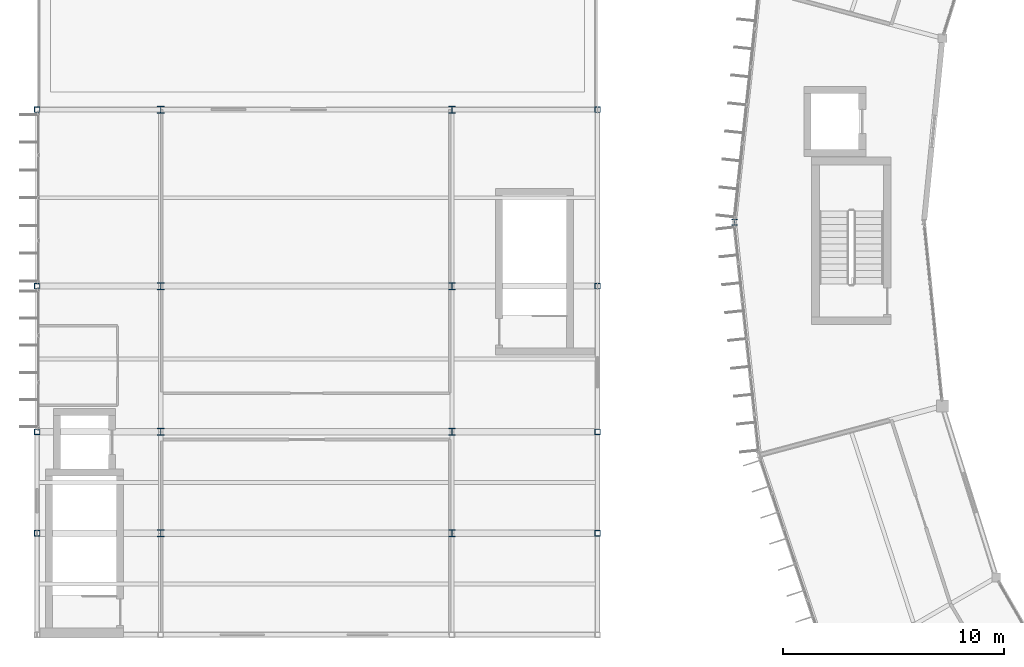
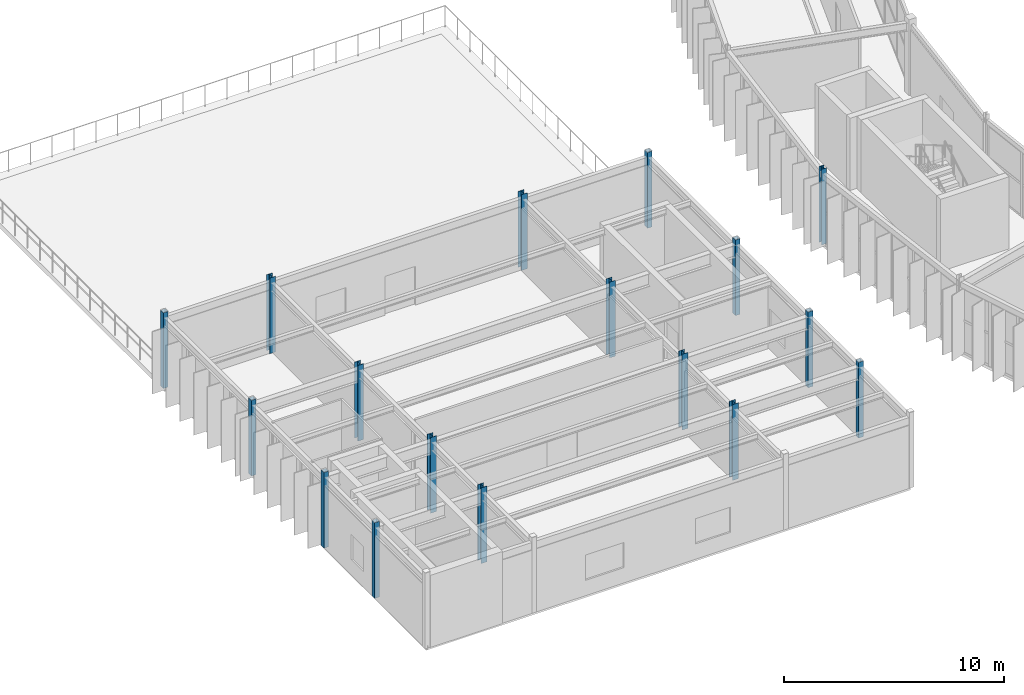
# One storey, part 5 of 130: 17 columns.
"""IFC4 building model written with IfcOpenShell, lengths in metres."""

from ifc_helpers import new_model, si_unit, direction, frame, origin, origin_2d, place, context, subcontext, project, spatial, hollow_rectangle, i_section, extrude, material, material_profile, profile_set, type_object, element, save


model = new_model("IFC4")

# Units and contexts
model_context = context("Model", 3, precision=1e-05, world=origin(), true_north=direction((0.0, 1.0)))
body_context = subcontext(model_context, "Body", "Model", "MODEL_VIEW")
ifc_project = project(units=[si_unit("LENGTHUNIT", "METRE"), si_unit("AREAUNIT", "SQUARE_METRE"), si_unit("VOLUMEUNIT", "CUBIC_METRE"), si_unit("PLANEANGLEUNIT", "RADIAN"), si_unit("MASSUNIT", "GRAM", prefix="KILO")], contexts=[model_context])

# Site, building, storey
site_placement = place(None, origin())
site = spatial("IfcSite", under=ifc_project, at=site_placement, CompositionType="ELEMENT")
building_placement = place(site_placement, origin())
building = spatial("IfcBuilding", under=site, at=building_placement, Name="Karori Crest Natural Sciences Institute", CompositionType="ELEMENT")
storey_placement = place(building_placement, frame((0.0, 0.0, 17.5)))
storey = spatial("IfcBuildingStorey", under=building, at=storey_placement, Name="L04", CompositionType="ELEMENT", Elevation=17.5)

# Columns
ifc_material_1 = material(Name="Structural steel AS/NZS 3679.1 Grade 350", Category="steel")
ifc_material_profile_1 = material_profile(ifc_material_1, i_section(OverallWidth=0.306884765625, OverallDepth=0.31494140625, WebThickness=0.011962890625, FlangeThickness=0.018798828125, FilletRadius=0.01708984375, at=origin_2d()), Name="310UC118")
ifc_profile_set_1 = profile_set([ifc_material_profile_1], Name="Structural steel AS/NZS 3679.1 Grade 350")
column_type_1 = type_object("IfcColumnType", Name="CT-05", PredefinedType="COLUMN", material=ifc_profile_set_1)
for number, where, z_axis, x_axis, name in (
    (1, (7.39990234375, 35.800048828125, 0.0), (0.0, 0.0, 1.0), (1.0, 0.0, 0.0), "Column C-0585"),
    (2, (7.39990234375, 40.39990234375, 0.0), (0.0, 0.0, 1.0), (1.0, 0.0, 0.0), "Column C-0591"),
    (3, (7.39990234375, 47.0, 0.0), (0.0, 0.0, 1.0), (1.0, 0.0, 0.0), "Column C-0597"),
    (4, (7.39990234375, 55.0, 0.0), (0.0, 0.0, 1.0), (1.0, 0.0, 0.0), "Column C-0603"),
    (5, (20.60009765625, 35.800048828125, 0.0), (0.0, 0.0, 1.0), (1.0, 0.0, 0.0), "Column C-0630"),
    (6, (20.60009765625, 40.39990234375, 0.0), (0.0, 0.0, 1.0), (1.0, 0.0, 0.0), "Column C-0636"),
    (7, (20.60009765625, 47.0, 0.0), (0.0, 0.0, 1.0), (1.0, 0.0, 0.0), "Column C-0642"),
    (8, (20.60009765625, 55.0, 0.0), (0.0, 0.0, 1.0), (1.0, 0.0, 0.0), "Column C-0648"),
):
    element("IfcColumn", number, at=place(storey_placement, frame(where, z_axis=z_axis, x_axis=x_axis)), inside=storey, type_object=column_type_1, Name=name, PredefinedType="COLUMN", context=body_context, shape_type="SweptSolid", body=[
        extrude(i_section(OverallWidth=0.306884765625, OverallDepth=0.31494140625, WebThickness=0.011962890625, FlangeThickness=0.018798828125, FilletRadius=0.01708984375, at=origin_2d()), origin(), (0.0, 0.0, 1.0), 4.199951171875),
    ])
ifc_material_profile_2 = material_profile(ifc_material_1, i_section(OverallWidth=0.256103515625, OverallDepth=0.260009765625, WebThickness=0.010498046875, FlangeThickness=0.017333984375, FilletRadius=0.013916015625, at=origin_2d()), Name="250UC89.5")
ifc_profile_set_2 = profile_set([ifc_material_profile_2], Name="Structural steel AS/NZS 3679.1 Grade 350")
column_type_2 = type_object("IfcColumnType", Name="CT-06", PredefinedType="COLUMN", material=ifc_profile_set_2)
column_placement = place(storey_placement, frame((33.39990234375, 49.89990234375, 0.0), z_axis=(0.0, 0.0, 1.0), x_axis=(1.0, 0.0, 0.0)))
element("IfcColumn", 9, at=column_placement, inside=storey, type_object=column_type_2, Name="Column C-0215", PredefinedType="COLUMN", context=body_context, shape_type="SweptSolid", body=[
    extrude(i_section(OverallWidth=0.256103515625, OverallDepth=0.260009765625, WebThickness=0.010498046875, FlangeThickness=0.017333984375, FilletRadius=0.013916015625, at=origin_2d()), origin(), (0.0, 0.0, 1.0), 4.199951171875),
])
ifc_material_2 = material(Name="Hollow structural steel AS/NZS 1163 Grade C350", Category="steel")
ifc_material_profile_3 = material_profile(ifc_material_2, hollow_rectangle(XDim=0.25, YDim=0.25, WallThickness=0.012451171875, at=origin_2d()), Name="SHS250x250x12.5")
ifc_profile_set_3 = profile_set([ifc_material_profile_3], Name="Hollow structural steel AS/NZS 1163 Grade C350")
column_type_3 = type_object("IfcColumnType", Name="CT-12", PredefinedType="COLUMN", material=ifc_profile_set_3)
for number, where, z_axis, x_axis, name in (
    (10, (1.800048828125, 35.800048828125, 0.0), (0.0, 0.0, 1.0), (1.0, 0.0, 0.0), "Column C-0540"),
    (11, (1.800048828125, 40.39990234375, 0.0), (0.0, 0.0, 1.0), (1.0, 0.0, 0.0), "Column C-0546"),
    (12, (1.800048828125, 47.0, 0.0), (0.0, 0.0, 1.0), (1.0, 0.0, 0.0), "Column C-0552"),
    (13, (1.800048828125, 55.0, 0.0), (0.0, 0.0, 1.0), (1.0, 0.0, 0.0), "Column C-0558"),
    (14, (27.199951171875, 35.800048828125, 0.0), (0.0, 0.0, 1.0), (1.0, 0.0, 0.0), "Column C-0675"),
    (15, (27.199951171875, 40.39990234375, 0.0), (0.0, 0.0, 1.0), (1.0, 0.0, 0.0), "Column C-0681"),
    (16, (27.199951171875, 47.0, 0.0), (0.0, 0.0, 1.0), (1.0, 0.0, 0.0), "Column C-0687"),
    (17, (27.199951171875, 55.0, 0.0), (0.0, 0.0, 1.0), (1.0, 0.0, 0.0), "Column C-0693"),
):
    element("IfcColumn", number, at=place(storey_placement, frame(where, z_axis=z_axis, x_axis=x_axis)), inside=storey, type_object=column_type_3, Name=name, PredefinedType="COLUMN", context=body_context, shape_type="SweptSolid", body=[
        extrude(hollow_rectangle(XDim=0.25, YDim=0.25, WallThickness=0.012451171875, at=origin_2d()), origin(), (0.0, 0.0, 1.0), 4.199951171875),
    ])

save(model, "model.ifc")
